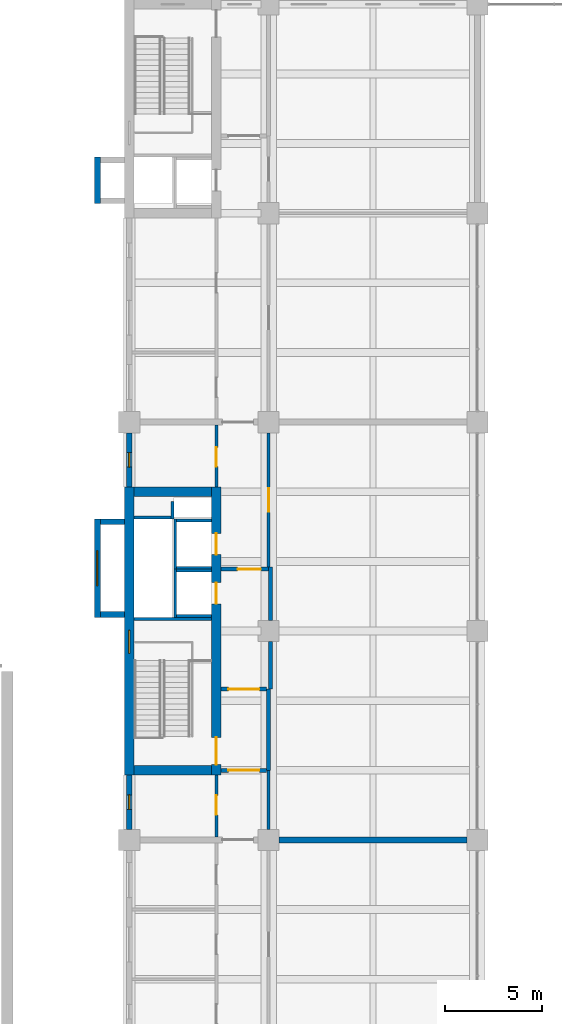
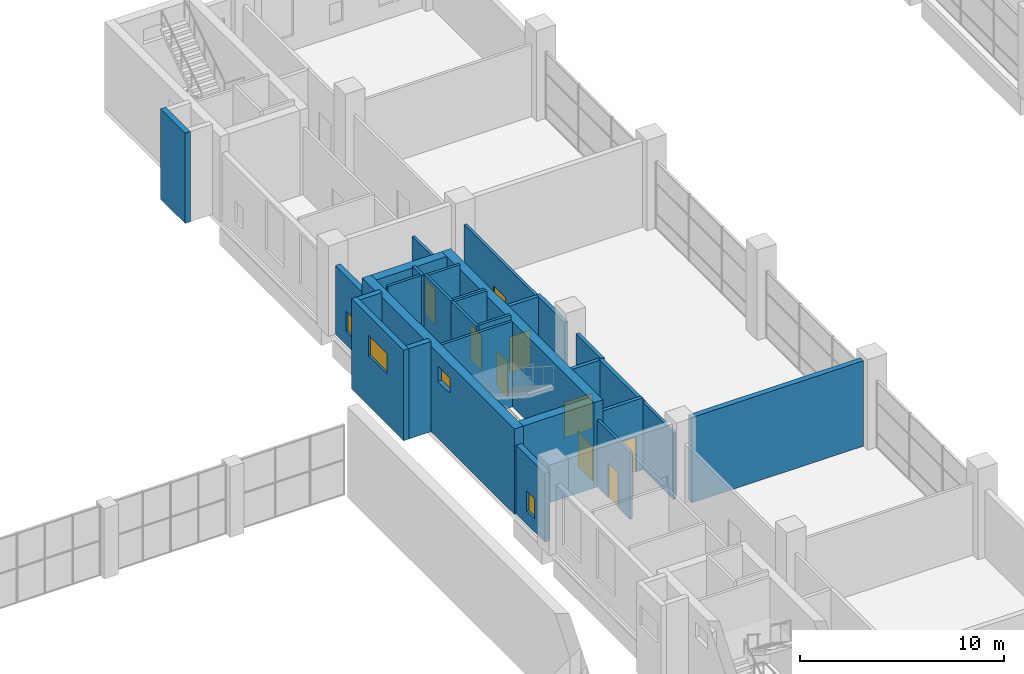
# One storey, part 19 of 33: 30 walls, 9 doors, 4 windows, 13 openings.
"""IFC4 building model written with IfcOpenShell, lengths in metres."""

import ifcopenshell
import ifcopenshell.guid

model = None  # the IFC model being written
_history = None  # IfcOwnerHistory: only IFC2X3 demands one
_inside = {}  # id of a spatial element -> (the spatial element, [elements in it])
_under = {}  # id of a project, library or spatial element -> (it, [spatial elements below it])
_declared = {}  # id of a project -> (the project, [libraries it declares])
_typed = {}  # id of a type object -> (the type object, [elements of that type])
_made_of = {}  # id of a material, layer set ... -> (it, [elements and type objects made of it])


def new_model(schema):
    """Start an empty IFC model of exactly this schema.

    Asked for "IFC4X3", IfcOpenShell would pick the latest addendum, in which some entities
    have other attributes; the version numbers below select the first issue.
    IFC2X3 requires an IfcOwnerHistory on every rooted entity: one is made here for all.
    """
    global model, _history
    if schema == "IFC4X3":
        model = ifcopenshell.file(schema_version=(4, 3, 0, 0))
    else:
        model = ifcopenshell.file(schema=schema)
    _inside.clear()
    _under.clear()
    _declared.clear()
    _typed.clear()
    _made_of.clear()
    _history = None
    if model.schema == "IFC2X3":
        org = make("IfcOrganization", Name="unknown")
        user = make(
            "IfcPersonAndOrganization",
            ThePerson=make("IfcPerson", FamilyName="unknown"),
            TheOrganization=org,
        )
        app = make(
            "IfcApplication",
            ApplicationDeveloper=org,
            Version="unknown",
            ApplicationFullName="unknown",
            ApplicationIdentifier="unknown",
        )
        _history = make(
            "IfcOwnerHistory",
            OwningUser=user,
            OwningApplication=app,
            ChangeAction="ADDED",
            CreationDate=0,
        )
    return model


def make(cls, **values):
    """One entity of the class cls with the attributes given. An attribute that is None is left unset."""
    return model.create_entity(
        cls, **{name: value for name, value in values.items() if value is not None}
    )


def rooted(cls, **values):
    """An entity with a GlobalId (a new one), such as an element, a storey or a relation."""
    return make(cls, GlobalId=ifcopenshell.guid.new(), OwnerHistory=_history, **values)


def si_unit(unit_type, name, prefix=None):
    """IfcSIUnit, for example si_unit("LENGTHUNIT", "METRE", prefix="MILLI")."""
    return make("IfcSIUnit", UnitType=unit_type, Prefix=prefix, Name=name)


def assignment(units):
    """IfcUnitAssignment: the units of a project."""
    return None if units is None else make("IfcUnitAssignment", Units=units)


def point(xyz):
    """IfcCartesianPoint."""
    return None if xyz is None else make("IfcCartesianPoint", Coordinates=xyz)


def direction(xyz):
    """IfcDirection."""
    return None if xyz is None else make("IfcDirection", DirectionRatios=xyz)


def frame(location, z_axis=None, x_axis=None):
    """IfcAxis2Placement3D, a coordinate frame: its origin and axes. An axis left out is left unset."""
    return make(
        "IfcAxis2Placement3D",
        Location=point(location),
        Axis=direction(z_axis),
        RefDirection=direction(x_axis),
    )


def frame_2d(location, x_axis=None):
    """IfcAxis2Placement2D, a coordinate frame in the plane: its origin and x axis."""
    return make(
        "IfcAxis2Placement2D", Location=point(location), RefDirection=direction(x_axis)
    )


def origin():
    """The frame at (0, 0, 0) with its axes left unset."""
    return frame((0.0, 0.0, 0.0))


def place(relative_to, where):
    """IfcLocalPlacement: puts the frame where relative to a parent placement (None: the world)."""
    return make(
        "IfcLocalPlacement", PlacementRelTo=relative_to, RelativePlacement=where
    )


def context(
    kind, dimensions, precision=None, world=None, true_north=None, identifier=None
):
    """IfcGeometricRepresentationContext, for example the 3D "Model" context."""
    return make(
        "IfcGeometricRepresentationContext",
        ContextIdentifier=identifier,
        ContextType=kind,
        CoordinateSpaceDimension=dimensions,
        Precision=precision,
        WorldCoordinateSystem=world,
        TrueNorth=true_north,
    )


def subcontext(parent, identifier, kind, view, scale=None):
    """IfcGeometricRepresentationSubContext, for example "Body" below "Model"."""
    return make(
        "IfcGeometricRepresentationSubContext",
        ContextIdentifier=identifier,
        ContextType=kind,
        ParentContext=parent,
        TargetScale=scale,
        TargetView=view,
    )


def project(units=None, contexts=None):
    """IfcProject with its units and contexts."""
    return rooted(
        "IfcProject",
        Name="project",
        RepresentationContexts=contexts,
        UnitsInContext=assignment(units),
    )


def spatial(cls, under=None, at=None, **own):
    """A site, building, storey or space (cls), placed at a placement, below another one or the project."""
    s = rooted(cls, ObjectPlacement=at, **own)
    if under is not None:
        _under.setdefault(under.id(), (under, []))[1].append(s)
    return s


def profile(cls, at=None, kind="AREA", **sizes):
    """A parametric profile (cls). Its sizes go by their IFC names, for example OverallWidth=200.0."""
    return make(cls, ProfileType=kind, Position=at, **sizes)


def rectangle(**sizes):
    """IfcRectangleProfileDef."""
    return profile("IfcRectangleProfileDef", **sizes)


def extrude(swept, where, along, depth):
    """IfcExtrudedAreaSolid: the profile swept, set in the frame where, extruded along a direction by depth."""
    return make(
        "IfcExtrudedAreaSolid",
        SweptArea=swept,
        Position=where,
        ExtrudedDirection=direction(along),
        Depth=depth,
    )


def shape(context_of_items, identifier, shape_type, items):
    """IfcShapeRepresentation: the items that make up one representation, for example the "Body"."""
    return make(
        "IfcShapeRepresentation",
        ContextOfItems=context_of_items,
        RepresentationIdentifier=identifier,
        RepresentationType=shape_type,
        Items=items,
    )


def material(Name=None, Category=None):
    """IfcMaterial."""
    return make("IfcMaterial", Name=Name, Category=Category)


def layer(
    of_material, thickness, ventilated=None, Name=None, Category=None, Priority=None
):
    """IfcMaterialLayer: one layer of a wall or slab, of a material (None: an air gap)."""
    return make(
        "IfcMaterialLayer",
        Material=of_material,
        LayerThickness=thickness,
        IsVentilated=ventilated,
        Name=Name,
        Category=Category,
        Priority=Priority,
    )


def layer_set(layers, Name=None):
    """IfcMaterialLayerSet."""
    return make("IfcMaterialLayerSet", MaterialLayers=layers, LayerSetName=Name)


def made_of(thing, what):
    """Note that an element or type object is made of a material, layer set ...; save() writes the relation."""
    if what is not None:
        _made_of.setdefault(what.id(), (what, []))[1].append(thing)
    return thing


def type_object(cls, material=None, **own):
    """A type object (cls), such as IfcWallType, which elements share."""
    return made_of(rooted(cls, **own), material)


def element(
    cls,
    number,
    at=None,
    inside=None,
    cuts=None,
    type_object=None,
    material=None,
    context=None,
    identifier="Body",
    shape_type=None,
    held_by="IfcProductDefinitionShape",
    body=None,
    shapes=None,
    **own,
):
    """One element of the class cls, such as IfcWall. Its Tag is "e" and its number.

    at: its placement. inside: the storey or other place that contains it. cuts: it is an
    opening in that element (IfcRelVoidsElement). A single representation is given by context,
    identifier, shape_type and body (its items); several are given by shapes. held_by: the class
    of the entity that holds the representations. save() writes the other relations.
    """
    e = rooted(cls, Tag="e%d" % number, ObjectPlacement=at, **own)
    if body is not None:
        shapes = [shape(context, identifier, shape_type, body)]
    if shapes is not None:
        e.Representation = make(held_by, Representations=shapes)
    if inside is not None:
        _inside.setdefault(inside.id(), (inside, []))[1].append(e)
    if cuts is not None:
        rooted(
            "IfcRelVoidsElement", RelatingBuildingElement=cuts, RelatedOpeningElement=e
        )
    if type_object is not None:
        _typed.setdefault(type_object.id(), (type_object, []))[1].append(e)
    return made_of(e, material)


def fill(opening, filler):
    """IfcRelFillsElement: the door or window that sits in an opening."""
    return rooted(
        "IfcRelFillsElement",
        RelatingOpeningElement=opening,
        RelatedBuildingElement=filler,
    )


def aggregate(whole, parts):
    """IfcRelAggregates: a whole, such as a stair, and the parts it consists of."""
    return rooted("IfcRelAggregates", RelatingObject=whole, RelatedObjects=parts)


def save(model, path):
    """Write the relations noted so far, then the file.

    IfcRelAggregates (storeys below a building ...), IfcRelContainedInSpatialStructure (elements
    in a storey), IfcRelDefinesByType, IfcRelAssociatesMaterial and IfcRelDeclares: one each for
    every whole, place, type object, material and project.
    """
    for whole, parts in _under.values():
        aggregate(whole, parts)
    for where, things in _inside.values():
        rooted(
            "IfcRelContainedInSpatialStructure",
            RelatedElements=things,
            RelatingStructure=where,
        )
    for kind, things in _typed.values():
        rooted("IfcRelDefinesByType", RelatedObjects=things, RelatingType=kind)
    for what, things in _made_of.values():
        rooted("IfcRelAssociatesMaterial", RelatedObjects=things, RelatingMaterial=what)
    for by, libraries in _declared.values():
        rooted("IfcRelDeclares", RelatingContext=by, RelatedDefinitions=libraries)
    model.write(path)


model = new_model("IFC4")

# Units and contexts
model_context = context("Model", 3, precision=1e-05, world=origin(), true_north=direction((0.0, 1.0)))
body_context = subcontext(model_context, "Body", "Model", "MODEL_VIEW")
ifc_project = project(units=[si_unit("LENGTHUNIT", "METRE"), si_unit("AREAUNIT", "SQUARE_METRE"), si_unit("VOLUMEUNIT", "CUBIC_METRE"), si_unit("PLANEANGLEUNIT", "RADIAN"), si_unit("MASSUNIT", "GRAM", prefix="KILO")], contexts=[model_context])

# Site, building, storey
site_placement = place(None, origin())
site = spatial("IfcSite", under=ifc_project, at=site_placement, CompositionType="ELEMENT")
building_placement = place(site_placement, origin())
building = spatial("IfcBuilding", under=site, at=building_placement, Name="Basin Gate Institute", CompositionType="ELEMENT")
storey_placement = place(building_placement, frame((0.0, 0.0, 6.0)))
storey = spatial("IfcBuildingStorey", under=building, at=storey_placement, Name="L01", CompositionType="ELEMENT", Elevation=6.0)

# Wall, opening, door
ifc_material_1 = material(Name="Fire-rated masonry", Category="masonry")
ifc_layer_1 = layer(ifc_material_1, 0.199951171875)
ifc_layer_set_1 = layer_set([ifc_layer_1], Name="Enclosure wall PW2 200 EI 60")
wall_type_1 = type_object("IfcWallType", Name="Enclosure wall PW2 200 EI 60", PredefinedType="PARTITIONING", material=ifc_layer_set_1)
wall_1_placement = place(storey_placement, frame((65.949951171875, 60.300048828125, 0.0), z_axis=(0.0, 0.0, 1.0), x_axis=(1.0, 0.0, 0.0)))
wall_1 = element("IfcWall", 1, at=wall_1_placement, inside=storey, type_object=wall_type_1, material=ifc_layer_set_1, Name="Smoke lobby enclosure wall PW2 L01", PredefinedType="PARTITIONING", context=body_context, shape_type="SweptSolid", body=[
    extrude(rectangle(XDim=2.35009765625, YDim=0.199951171875, at=frame_2d((1.175048828125, 0.0))), origin(), (0.0, 0.0, 1.0), 4.300048828125),
])
opening_1_placement = place(wall_1_placement, frame((0.375, 0.0, 0.0)))
opening_1 = element("IfcOpeningElement", 2, at=opening_1_placement, cuts=wall_1, Name="Opening DR087", PredefinedType="OPENING", context=body_context, shape_type="SweptSolid", body=[
    extrude(rectangle(XDim=1.60009765625, YDim=2.10009765625, at=frame_2d((0.800048828125, 1.050048828125))), frame((0.0, 0.10986328125, 0.0), z_axis=(0.0, -1.0, 0.0), x_axis=(1.0, 0.0, 0.0)), (0.0, 0.0, 1.0), 0.219970703125),
])
ifc_material_2 = material(Name="Steel fire door", Category="steel")
door_type_1 = type_object("IfcDoorType", Name="FD60 Smoke lobby door pair D8", OperationType="DOUBLE_DOOR_SINGLE_SWING", PredefinedType="DOOR", material=ifc_material_2)
door_1_placement = place(opening_1_placement, origin())
door_1 = element("IfcDoor", 3, at=door_1_placement, inside=storey, type_object=door_type_1, material=ifc_material_2, Name="Smoke lobby door SS2 L01", OperationType="DOUBLE_DOOR_SINGLE_SWING", OverallHeight=2.10009765625, OverallWidth=1.60009765625, PredefinedType="DOOR", context=body_context, shape_type="SweptSolid", body=[
    extrude(rectangle(XDim=1.60009765625, YDim=2.10009765625, at=frame_2d((0.800048828125, 1.050048828125))), frame((0.0, 0.02490234375, 0.0), z_axis=(0.0, -1.0, 0.0), x_axis=(1.0, 0.0, 0.0)), (0.0, 0.0, 1.0), 0.050048828125),
])
fill(opening_1, door_1)

wall_2_placement = place(storey_placement, frame((65.949951171875, 64.5, 0.0), z_axis=(0.0, 0.0, 1.0), x_axis=(1.0, 0.0, 0.0)))
wall_2 = element("IfcWall", 4, at=wall_2_placement, inside=storey, type_object=wall_type_1, material=ifc_layer_set_1, Name="Smoke lobby enclosure wall PW2 L01", PredefinedType="PARTITIONING", context=body_context, shape_type="SweptSolid", body=[
    extrude(rectangle(XDim=2.35009765625, YDim=0.199951171875, at=frame_2d((1.175048828125, 0.0))), origin(), (0.0, 0.0, 1.0), 4.0),
])
opening_2_placement = place(wall_2_placement, frame((0.375, 0.0, 0.0)))
opening_2 = element("IfcOpeningElement", 5, at=opening_2_placement, cuts=wall_2, Name="Opening DR088", PredefinedType="OPENING", context=body_context, shape_type="SweptSolid", body=[
    extrude(rectangle(XDim=1.60009765625, YDim=2.10009765625, at=frame_2d((0.800048828125, 1.050048828125))), frame((0.0, 0.10986328125, 0.0), z_axis=(0.0, -1.0, 0.0), x_axis=(1.0, 0.0, 0.0)), (0.0, 0.0, 1.0), 0.219970703125),
])
door_2_placement = place(opening_2_placement, frame((1.60009765625, 0.0, 0.0), z_axis=(0.0, 0.0, 1.0), x_axis=(-1.0, 0.0, 0.0)))
door_2 = element("IfcDoor", 6, at=door_2_placement, inside=storey, type_object=door_type_1, material=ifc_material_2, Name="Smoke lobby door SS2 L01", OperationType="DOUBLE_DOOR_SINGLE_SWING", OverallHeight=2.10009765625, OverallWidth=1.60009765625, PredefinedType="DOOR", context=body_context, shape_type="SweptSolid", body=[
    extrude(rectangle(XDim=1.60009765625, YDim=2.10009765625, at=frame_2d((0.800048828125, 1.050048828125))), frame((0.0, 0.02490234375, 0.0), z_axis=(0.0, -1.0, 0.0), x_axis=(1.0, 0.0, 0.0)), (0.0, 0.0, 1.0), 0.050048828125),
])
fill(opening_2, door_2)

# Wall
wall_3_placement = place(storey_placement, frame((68.39990234375, 60.300048828125, 0.0), z_axis=(0.0, 0.0, 1.0), x_axis=(0.0, 1.0, 0.0)))
element("IfcWall", 7, at=wall_3_placement, inside=storey, type_object=wall_type_1, material=ifc_layer_set_1, Name="Smoke lobby enclosure wall PW2 L01", PredefinedType="PARTITIONING", context=body_context, shape_type="SweptSolid", body=[
    extrude(rectangle(XDim=4.199951171875, YDim=0.199951171875, at=frame_2d((2.10009765625, 0.0))), origin(), (0.0, 0.0, 1.0), 4.0),
])

# Wall, opening, door
wall_4_placement = place(storey_placement, frame((65.949951171875, 70.699951171875, 0.0), z_axis=(0.0, 0.0, 1.0), x_axis=(1.0, 0.0, 0.0)))
wall_4 = element("IfcWall", 8, at=wall_4_placement, inside=storey, type_object=wall_type_1, material=ifc_layer_set_1, Name="Emergency lift lobby wall PW2 L01", PredefinedType="PARTITIONING", context=body_context, shape_type="SweptSolid", body=[
    extrude(rectangle(XDim=2.449951171875, YDim=0.199951171875, at=frame_2d((1.22509765625, 0.0))), origin(), (0.0, 0.0, 1.0), 4.0),
])
opening_3_placement = place(wall_4_placement, frame((0.85009765625, 0.0, 0.0)))
opening_3 = element("IfcOpeningElement", 9, at=opening_3_placement, cuts=wall_4, Name="Opening DR085", PredefinedType="OPENING", context=body_context, shape_type="SweptSolid", body=[
    extrude(rectangle(XDim=1.199951171875, YDim=2.10009765625, at=frame_2d((0.60009765625, 1.050048828125))), frame((0.0, 0.10986328125, 0.0), z_axis=(0.0, -1.0, 0.0), x_axis=(1.0, 0.0, 0.0)), (0.0, 0.0, 1.0), 0.219970703125),
])
ifc_material_3 = material(Name="Steel fire door", Category="steel")
door_type_2 = type_object("IfcDoorType", Name="FD60 Emergency lift lobby door D9", OperationType="NOTDEFINED", PredefinedType="DOOR", material=ifc_material_3)
door_3_placement = place(opening_3_placement, frame((1.199951171875, 0.0, 0.0), z_axis=(0.0, 0.0, 1.0), x_axis=(-1.0, 0.0, 0.0)))
door_3 = element("IfcDoor", 10, at=door_3_placement, inside=storey, type_object=door_type_2, material=ifc_material_3, Name="Emergency lift lobby door LF1 L01", OperationType="SINGLE_SWING_LEFT", OverallHeight=2.10009765625, OverallWidth=1.199951171875, PredefinedType="DOOR", context=body_context, shape_type="SweptSolid", body=[
    extrude(rectangle(XDim=1.199951171875, YDim=2.10009765625, at=frame_2d((0.60009765625, 1.050048828125))), frame((0.0, 0.02490234375, 0.0), z_axis=(0.0, -1.0, 0.0), x_axis=(1.0, 0.0, 0.0)), (0.0, 0.0, 1.0), 0.050048828125),
])
fill(opening_3, door_3)

# Walls
wall_5_placement = place(storey_placement, frame((68.5, 64.5, 0.0), z_axis=(0.0, 0.0, 1.0), x_axis=(0.0, 1.0, 0.0)))
element("IfcWall", 11, at=wall_5_placement, inside=storey, type_object=wall_type_1, material=ifc_layer_set_1, Name="Emergency lift lobby wall PW2 L01", PredefinedType="PARTITIONING", context=body_context, shape_type="SweptSolid", body=[
    extrude(rectangle(XDim=2.449951171875, YDim=0.199951171875, at=frame_2d((1.22509765625, 0.0))), origin(), (0.0, 0.0, 1.0), 4.0),
])
wall_6_placement = place(storey_placement, frame((68.5, 68.050048828125, 0.0), z_axis=(0.0, 0.0, 1.0), x_axis=(0.0, 1.0, 0.0)))
element("IfcWall", 12, at=wall_6_placement, inside=storey, type_object=wall_type_1, material=ifc_layer_set_1, Name="Emergency lift lobby wall PW2 L01", PredefinedType="PARTITIONING", context=body_context, shape_type="SweptSolid", body=[
    extrude(rectangle(XDim=2.75, YDim=0.199951171875, at=frame_2d((1.375, 0.0))), origin(), (0.0, 0.0, 1.0), 4.0),
])

# Wall, opening, window
ifc_material_4 = material(Name="Aluminium-faced insulated panel wall", Category="aluminium")
ifc_layer_2 = layer(ifc_material_4, 0.300048828125)
ifc_layer_set_2 = layer_set([ifc_layer_2], Name="External wall EW1 EI 120")
wall_type_2 = type_object("IfcWallType", Name="External wall EW1 EI 120", PredefinedType="STANDARD", material=ifc_layer_set_2)
wall_7_placement = place(storey_placement, frame((61.199951171875, 57.25, 0.0), z_axis=(0.0, 0.0, 1.0), x_axis=(0.0, 1.0, 0.0)))
wall_7 = element("IfcWall", 13, at=wall_7_placement, inside=storey, type_object=wall_type_2, material=ifc_layer_set_2, Name="External wall W facade L01 2", PredefinedType="STANDARD", context=body_context, shape_type="SweptSolid", body=[
    extrude(rectangle(XDim=2.800048828125, YDim=0.300048828125, at=frame_2d((1.39990234375, 0.0))), origin(), (0.0, 0.0, 1.0), 4.10009765625),
])
opening_4_placement = place(wall_7_placement, frame((1.02490234375, 0.0, 0.800048828125)))
opening_4 = element("IfcOpeningElement", 14, at=opening_4_placement, cuts=wall_7, Name="Opening WN3", PredefinedType="OPENING", context=body_context, shape_type="SweptSolid", body=[
    extrude(rectangle(XDim=0.75, YDim=1.199951171875, at=frame_2d((0.375, 0.60009765625))), frame((0.0, 0.16015625, 0.0), z_axis=(0.0, -1.0, 0.0), x_axis=(1.0, 0.0, 0.0)), (0.0, 0.0, 1.0), 0.320068359375),
])
ifc_material_5 = material(Name="Aluminium-framed double glazing", Category="aluminium")
window_type_1 = type_object("IfcWindowType", Name="Emergency entry panel WN3", PartitioningType="SINGLE_PANEL", PredefinedType="WINDOW", material=ifc_material_5)
window_1_placement = place(opening_4_placement, origin())
window_1 = element("IfcWindow", 15, at=window_1_placement, inside=storey, type_object=window_type_1, material=ifc_material_5, Name="Emergency entry panel W facade L01 bay 7", OverallHeight=1.199951171875, OverallWidth=0.75, PartitioningType="SINGLE_PANEL", PredefinedType="WINDOW", context=body_context, shape_type="SweptSolid", body=[
    extrude(rectangle(XDim=0.75, YDim=1.199951171875, at=frame_2d((0.375, 0.60009765625))), frame((0.0, 0.030029296875, 0.0), z_axis=(0.0, -1.0, 0.0), x_axis=(1.0, 0.0, 0.0)), (0.0, 0.0, 1.0), 0.06005859375),
])
fill(opening_4, window_1)

wall_8_placement = place(storey_placement, frame((61.199951171875, 74.949951171875, 0.0), z_axis=(0.0, 0.0, 1.0), x_axis=(0.0, 1.0, 0.0)))
wall_8 = element("IfcWall", 16, at=wall_8_placement, inside=storey, type_object=wall_type_2, material=ifc_layer_set_2, Name="External wall W facade L01 3", PredefinedType="STANDARD", context=body_context, shape_type="SweptSolid", body=[
    extrude(rectangle(XDim=2.800048828125, YDim=0.300048828125, at=frame_2d((1.39990234375, 0.0))), origin(), (0.0, 0.0, 1.0), 4.10009765625),
])
opening_5_placement = place(wall_8_placement, frame((1.02490234375, 0.0, 0.800048828125)))
opening_5 = element("IfcOpeningElement", 17, at=opening_5_placement, cuts=wall_8, Name="Opening WN3", PredefinedType="OPENING", context=body_context, shape_type="SweptSolid", body=[
    extrude(rectangle(XDim=0.75, YDim=1.199951171875, at=frame_2d((0.375, 0.60009765625))), frame((0.0, 0.16015625, 0.0), z_axis=(0.0, -1.0, 0.0), x_axis=(1.0, 0.0, 0.0)), (0.0, 0.0, 1.0), 0.320068359375),
])
window_2_placement = place(opening_5_placement, origin())
window_2 = element("IfcWindow", 18, at=window_2_placement, inside=storey, type_object=window_type_1, material=ifc_material_5, Name="Emergency entry panel W facade L01 bay 12", OverallHeight=1.199951171875, OverallWidth=0.75, PartitioningType="SINGLE_PANEL", PredefinedType="WINDOW", context=body_context, shape_type="SweptSolid", body=[
    extrude(rectangle(XDim=0.75, YDim=1.199951171875, at=frame_2d((0.375, 0.60009765625))), frame((0.0, 0.030029296875, 0.0), z_axis=(0.0, -1.0, 0.0), x_axis=(1.0, 0.0, 0.0)), (0.0, 0.0, 1.0), 0.06005859375),
])
fill(opening_5, window_2)

# Wall, opening, door
ifc_material_6 = material(Name="Gypsum board on steel stud", Category="steel")
ifc_layer_3 = layer(ifc_material_6, 0.14990234375)
ifc_layer_set_3 = layer_set([ifc_layer_3], Name="Gypsum board on steel stud")
wall_type_3 = type_object("IfcWallType", Name="Partition PW1 150 EI 60", PredefinedType="PARTITIONING", material=ifc_layer_set_3)
wall_9_placement = place(storey_placement, frame((65.699951171875, 56.85009765625, 0.0), z_axis=(0.0, 0.0, 1.0), x_axis=(0.0, 1.0, 0.0)))
wall_9 = element("IfcWall", 19, at=wall_9_placement, inside=storey, type_object=wall_type_3, material=ifc_layer_set_3, Name="Corridor wall PW1 L01", PredefinedType="PARTITIONING", context=body_context, shape_type="SweptSolid", body=[
    extrude(rectangle(XDim=3.199951171875, YDim=0.14990234375, at=frame_2d((1.60009765625, 0.0))), origin(), (0.0, 0.0, 1.0), 4.0),
])
opening_6_placement = place(wall_9_placement, frame((1.14990234375, 0.0, 0.0)))
opening_6 = element("IfcOpeningElement", 20, at=opening_6_placement, cuts=wall_9, Name="Opening DR073", PredefinedType="OPENING", context=body_context, shape_type="SweptSolid", body=[
    extrude(rectangle(XDim=1.0, YDim=2.10009765625, at=frame_2d((0.5, 1.050048828125))), frame((0.0, 0.0849609375, 0.0), z_axis=(0.0, -1.0, 0.0), x_axis=(1.0, 0.0, 0.0)), (0.0, 0.0, 1.0), 0.169921875),
])
ifc_material_7 = material(Name="Timber fire door", Category="wood")
door_type_3 = type_object("IfcDoorType", Name="FD30 Toilet door D3", OperationType="NOTDEFINED", PredefinedType="DOOR", material=ifc_material_7)
door_4_placement = place(opening_6_placement, origin())
door_4 = element("IfcDoor", 21, at=door_4_placement, inside=storey, type_object=door_type_3, material=ifc_material_7, Name="Door to Accessible WC L01", OperationType="SINGLE_SWING_RIGHT", OverallHeight=2.10009765625, OverallWidth=1.0, PredefinedType="DOOR", context=body_context, shape_type="SweptSolid", body=[
    extrude(rectangle(XDim=1.0, YDim=2.10009765625, at=frame_2d((0.5, 1.050048828125))), frame((0.0, 0.02490234375, 0.0), z_axis=(0.0, -1.0, 0.0), x_axis=(1.0, 0.0, 0.0)), (0.0, 0.0, 1.0), 0.050048828125),
])
fill(opening_6, door_4)

wall_10_placement = place(storey_placement, frame((65.699951171875, 74.949951171875, 0.0), z_axis=(0.0, 0.0, 1.0), x_axis=(0.0, 1.0, 0.0)))
wall_10 = element("IfcWall", 22, at=wall_10_placement, inside=storey, type_object=wall_type_3, material=ifc_layer_set_3, Name="Corridor wall PW1 L01", PredefinedType="PARTITIONING", context=body_context, shape_type="SweptSolid", body=[
    extrude(rectangle(XDim=3.199951171875, YDim=0.14990234375, at=frame_2d((1.60009765625, 0.0))), origin(), (0.0, 0.0, 1.0), 4.0),
])
opening_7_placement = place(wall_10_placement, frame((1.050048828125, 0.0, 0.0)))
opening_7 = element("IfcOpeningElement", 23, at=opening_7_placement, cuts=wall_10, Name="Opening DR080", PredefinedType="OPENING", context=body_context, shape_type="SweptSolid", body=[
    extrude(rectangle(XDim=1.0, YDim=2.10009765625, at=frame_2d((0.5, 1.050048828125))), frame((0.0, 0.0849609375, 0.0), z_axis=(0.0, -1.0, 0.0), x_axis=(1.0, 0.0, 0.0)), (0.0, 0.0, 1.0), 0.169921875),
])
ifc_material_8 = material(Name="Timber fire door", Category="wood")
door_type_4 = type_object("IfcDoorType", Name="FD30 Office door D1", OperationType="NOTDEFINED", PredefinedType="DOOR", material=ifc_material_8)
door_5_placement = place(opening_7_placement, origin())
door_5 = element("IfcDoor", 24, at=door_5_placement, inside=storey, type_object=door_type_4, material=ifc_material_8, Name="Door to Seminar Room 0105 L01", OperationType="SINGLE_SWING_LEFT", OverallHeight=2.10009765625, OverallWidth=1.0, PredefinedType="DOOR", context=body_context, shape_type="SweptSolid", body=[
    extrude(rectangle(XDim=1.0, YDim=2.10009765625, at=frame_2d((0.5, 1.050048828125))), frame((0.0, 0.02490234375, 0.0), z_axis=(0.0, -1.0, 0.0), x_axis=(1.0, 0.0, 0.0)), (0.0, 0.0, 1.0), 0.050048828125),
])
fill(opening_7, door_5)

# Wall
wall_11_placement = place(storey_placement, frame((68.39990234375, 57.25, 0.0), z_axis=(0.0, 0.0, 1.0), x_axis=(0.0, 1.0, 0.0)))
element("IfcWall", 25, at=wall_11_placement, inside=storey, type_object=wall_type_3, material=ifc_layer_set_3, Name="Laboratory corridor wall PW1 L01", PredefinedType="PARTITIONING", context=body_context, shape_type="SweptSolid", body=[
    extrude(rectangle(XDim=3.050048828125, YDim=0.14990234375, at=frame_2d((1.52490234375, 0.0))), origin(), (0.0, 0.0, 1.0), 4.0),
])

# Wall, opening, door
wall_12_placement = place(storey_placement, frame((68.39990234375, 70.800048828125, 0.0), z_axis=(0.0, 0.0, 1.0), x_axis=(0.0, 1.0, 0.0)))
wall_12 = element("IfcWall", 26, at=wall_12_placement, inside=storey, type_object=wall_type_3, material=ifc_layer_set_3, Name="Laboratory corridor wall PW1 L01", PredefinedType="PARTITIONING", context=body_context, shape_type="SweptSolid", body=[
    extrude(rectangle(XDim=6.949951171875, YDim=0.14990234375, at=frame_2d((3.47509765625, 0.0))), origin(), (0.0, 0.0, 1.0), 4.0),
])
opening_8_placement = place(wall_12_placement, frame((2.875, 0.0, 0.0)))
opening_8 = element("IfcOpeningElement", 27, at=opening_8_placement, cuts=wall_12, Name="Opening DR077", PredefinedType="OPENING", context=body_context, shape_type="SweptSolid", body=[
    extrude(rectangle(XDim=1.199951171875, YDim=2.10009765625, at=frame_2d((0.60009765625, 1.050048828125))), frame((0.0, 0.0849609375, 0.0), z_axis=(0.0, -1.0, 0.0), x_axis=(1.0, 0.0, 0.0)), (0.0, 0.0, 1.0), 0.169921875),
])
ifc_material_9 = material(Name="Timber fire door", Category="wood")
door_type_5 = type_object("IfcDoorType", Name="FD30 Laboratory door D2", OperationType="DOUBLE_DOOR_SINGLE_SWING", PredefinedType="DOOR", material=ifc_material_9)
door_6_placement = place(opening_8_placement, frame((1.199951171875, 0.0, 0.0), z_axis=(0.0, 0.0, 1.0), x_axis=(-1.0, 0.0, 0.0)))
door_6 = element("IfcDoor", 28, at=door_6_placement, inside=storey, type_object=door_type_5, material=ifc_material_9, Name="Door to Library 0118 L01", OperationType="DOUBLE_DOOR_SINGLE_SWING", OverallHeight=2.10009765625, OverallWidth=1.199951171875, PredefinedType="DOOR", context=body_context, shape_type="SweptSolid", body=[
    extrude(rectangle(XDim=1.199951171875, YDim=2.10009765625, at=frame_2d((0.60009765625, 1.050048828125))), frame((0.0, 0.02490234375, 0.0), z_axis=(0.0, -1.0, 0.0), x_axis=(1.0, 0.0, 0.0)), (0.0, 0.0, 1.0), 0.050048828125),
])
fill(opening_8, door_6)

# Walls
ifc_material_10 = material(Name="Concrete 40 MPa", Category="concrete")
ifc_layer_4 = layer(ifc_material_10, 0.14990234375)
ifc_layer_set_4 = layer_set([ifc_layer_4], Name="Concrete 40 MPa")
wall_type_4 = type_object("IfcWallType", Name="Wall LS1 lift shaft enclosure R180", PredefinedType="SOLIDWALL", material=ifc_layer_set_4)
wall_13_placement = place(storey_placement, frame((63.574951171875, 68.199951171875, 0.0), z_axis=(0.0, 0.0, 1.0), x_axis=(0.0, 1.0, 0.0)))
element("IfcWall", 29, at=wall_13_placement, inside=storey, type_object=wall_type_4, material=ifc_layer_set_4, Name="Lift shaft enclosure LF1 L01 UL", PredefinedType="SOLIDWALL", context=body_context, shape_type="SweptSolid", body=[
    extrude(rectangle(XDim=2.5, YDim=0.14990234375, at=frame_2d((1.25, 0.0))), origin(), (0.0, 0.0, 1.0), 5.39990234375),
])
for number, where, z_axis, x_axis, name in (
    (30, (63.64990234375, 68.27490234375, 0.0), (0.0, 0.0, 1.0), (1.0, 0.0, 0.0), "Lift shaft enclosure LF1 L01 RL"),
    (31, (63.64990234375, 70.625, 0.0), (0.0, 0.0, 1.0), (1.0, 0.0, 0.0), "Lift shaft enclosure LF1 L01 RH"),
):
    element("IfcWall", number, at=place(storey_placement, frame(where, z_axis=z_axis, x_axis=x_axis)), inside=storey, type_object=wall_type_4, material=ifc_layer_set_4, Name=name, PredefinedType="SOLIDWALL", context=body_context, shape_type="SweptSolid", body=[
        extrude(rectangle(XDim=1.800048828125, YDim=0.14990234375, at=frame_2d((0.89990234375, 0.0))), origin(), (0.0, 0.0, 1.0), 5.39990234375),
    ])
wall_14_placement = place(storey_placement, frame((63.574951171875, 70.699951171875, 0.0), z_axis=(0.0, 0.0, 1.0), x_axis=(0.0, 1.0, 0.0)))
element("IfcWall", 32, at=wall_14_placement, inside=storey, type_object=wall_type_4, material=ifc_layer_set_4, Name="Lift shaft enclosure LP2 L01 UL", PredefinedType="SOLIDWALL", context=body_context, shape_type="SweptSolid", body=[
    extrude(rectangle(XDim=2.60009765625, YDim=0.14990234375, at=frame_2d((1.300048828125, 0.0))), origin(), (0.0, 0.0, 1.0), 5.39990234375),
])
for number, where, z_axis, x_axis, name in (
    (33, (63.64990234375, 70.77490234375, 0.0), (0.0, 0.0, 1.0), (1.0, 0.0, 0.0), "Lift shaft enclosure LP2 L01 RL"),
    (34, (63.64990234375, 73.22509765625, 0.0), (0.0, 0.0, 1.0), (1.0, 0.0, 0.0), "Lift shaft enclosure LP2 L01 RH"),
):
    element("IfcWall", number, at=place(storey_placement, frame(where, z_axis=z_axis, x_axis=x_axis)), inside=storey, type_object=wall_type_4, material=ifc_layer_set_4, Name=name, PredefinedType="SOLIDWALL", context=body_context, shape_type="SweptSolid", body=[
        extrude(rectangle(XDim=1.800048828125, YDim=0.14990234375, at=frame_2d((0.89990234375, 0.0))), origin(), (0.0, 0.0, 1.0), 5.39990234375),
    ])
ifc_material_11 = material(Name="Concrete 40 MPa", Category="concrete")
ifc_layer_5 = layer(ifc_material_11, 0.14990234375)
ifc_layer_set_5 = layer_set([ifc_layer_5], Name="Concrete 40 MPa")
wall_type_5 = type_object("IfcWallType", Name="Wall RS1 riser shaft enclosure R180", PredefinedType="SOLIDWALL", material=ifc_layer_set_5)
wall_15_placement = place(storey_placement, frame((61.449951171875, 73.375, 0.0), z_axis=(0.0, 0.0, 1.0), x_axis=(1.0, 0.0, 0.0)))
element("IfcWall", 35, at=wall_15_placement, inside=storey, type_object=wall_type_5, material=ifc_layer_set_5, Name="Riser shaft enclosure WM L01 N", PredefinedType="SOLIDWALL", context=body_context, shape_type="SweptSolid", body=[
    extrude(rectangle(XDim=1.900146484375, YDim=0.14990234375, at=frame_2d((0.9501953125, 0.0))), origin(), (0.0, 0.0, 1.0), 5.39990234375),
])
wall_16_placement = place(storey_placement, frame((63.425048828125, 73.300048828125, 0.0), z_axis=(0.0, 0.0, 1.0), x_axis=(0.0, 1.0, 0.0)))
element("IfcWall", 36, at=wall_16_placement, inside=storey, type_object=wall_type_5, material=ifc_layer_set_5, Name="Riser shaft enclosure WM L01 W", PredefinedType="SOLIDWALL", context=body_context, shape_type="SweptSolid", body=[
    extrude(rectangle(XDim=0.89990234375, YDim=0.14990234375, at=frame_2d((0.449951171875, 0.0))), origin(), (0.0, 0.0, 1.0), 5.39990234375),
])
ifc_material_12 = material(Name="Concrete 40 MPa", Category="concrete")
ifc_layer_6 = layer(ifc_material_12, 0.14990234375)
ifc_layer_set_6 = layer_set([ifc_layer_6], Name="Concrete 40 MPa")
wall_type_6 = type_object("IfcWallType", Name="Wall SE1 stair enclosure R180", PredefinedType="SOLIDWALL", material=ifc_layer_set_6)
wall_17_placement = place(storey_placement, frame((61.449951171875, 68.125, 0.0), z_axis=(0.0, 0.0, 1.0), x_axis=(1.0, 0.0, 0.0)))
element("IfcWall", 37, at=wall_17_placement, inside=storey, type_object=wall_type_6, material=ifc_layer_set_6, Name="Stair enclosure wall ST-WM L01", PredefinedType="SOLIDWALL", context=body_context, shape_type="SweptSolid", body=[
    extrude(rectangle(XDim=4.0, YDim=0.14990234375, at=frame_2d((2.0, 0.0))), origin(), (0.0, 0.0, 1.0), 5.10009765625),
])

# Wall, opening, window
ifc_material_13 = material(Name="Concrete 50 MPa", Category="concrete")
ifc_layer_7 = layer(ifc_material_13, 0.300048828125)
ifc_layer_set_7 = layer_set([ifc_layer_7], Name="Concrete 50 MPa")
wall_type_7 = type_object("IfcWallType", Name="Wall SK1 R180", PredefinedType="SHEAR", material=ifc_layer_set_7)
wall_18_placement = place(storey_placement, frame((59.550048828125, 68.199951171875, 0.0), z_axis=(0.0, 0.0, 1.0), x_axis=(0.0, 1.0, 0.0)))
wall_18 = element("IfcWall", 38, at=wall_18_placement, inside=storey, type_object=wall_type_7, material=ifc_layer_set_7, Name="Spine riser stack wall SK1 WM F L01", PredefinedType="SHEAR", context=body_context, shape_type="SweptSolid", body=[
    extrude(rectangle(XDim=5.10009765625, YDim=0.300048828125, at=frame_2d((2.550048828125, 0.0))), origin(), (0.0, 0.0, 1.0), 5.39990234375),
])
opening_9_placement = place(wall_18_placement, frame((1.64990234375, 0.0, 3.0)))
opening_9 = element("IfcOpeningElement", 39, at=opening_9_placement, cuts=wall_18, Name="Opening WL1", PredefinedType="OPENING", context=body_context, shape_type="SweptSolid", body=[
    extrude(rectangle(XDim=1.800048828125, YDim=1.199951171875, at=frame_2d((0.89990234375, 0.60009765625))), frame((0.0, 0.16015625, 0.0), z_axis=(0.0, -1.0, 0.0), x_axis=(1.0, 0.0, 0.0)), (0.0, 0.0, 1.0), 0.320068359375),
])
ifc_material_14 = material(Name="Aluminium louvre blades with fire damper", Category="aluminium")
window_type_2 = type_object("IfcWindowType", Name="Riser louvre EI 180 WL1", PartitioningType="SINGLE_PANEL", PredefinedType="WINDOW", material=ifc_material_14)
window_3_placement = place(opening_9_placement, origin())
window_3 = element("IfcWindow", 40, at=window_3_placement, inside=storey, type_object=window_type_2, material=ifc_material_14, Name="Riser louvre EI 180 WM riser 1 L01", OverallHeight=1.199951171875, OverallWidth=1.800048828125, PartitioningType="SINGLE_PANEL", PredefinedType="WINDOW", context=body_context, shape_type="SweptSolid", body=[
    extrude(rectangle(XDim=1.800048828125, YDim=1.199951171875, at=frame_2d((0.89990234375, 0.60009765625))), frame((0.0, 0.030029296875, 0.0), z_axis=(0.0, -1.0, 0.0), x_axis=(1.0, 0.0, 0.0)), (0.0, 0.0, 1.0), 0.06005859375),
])
fill(opening_9, window_3)

# Walls
for number, where, z_axis, x_axis, name in (
    (41, (60.949951171875, 68.35009765625, 0.0), (0.0, 0.0, 1.0), (-1.0, 0.0, 0.0), "Spine riser stack wall SK1 WM A L01"),
    (42, (60.949951171875, 73.14990234375, 0.0), (0.0, 0.0, 1.0), (-1.0, 0.0, 0.0), "Spine riser stack wall SK1 WM B L01"),
):
    element("IfcWall", number, at=place(storey_placement, frame(where, z_axis=z_axis, x_axis=x_axis)), inside=storey, type_object=wall_type_7, material=ifc_layer_set_7, Name=name, PredefinedType="SHEAR", context=body_context, shape_type="SweptSolid", body=[
        extrude(rectangle(XDim=1.25, YDim=0.300048828125, at=frame_2d((0.625, 0.0))), origin(), (0.0, 0.0, 1.0), 5.39990234375),
    ])
wall_19_placement = place(storey_placement, frame((59.550048828125, 89.60009765625, 0.0), z_axis=(0.0, 0.0, 1.0), x_axis=(0.0, 1.0, 0.0)))
element("IfcWall", 43, at=wall_19_placement, inside=storey, type_object=wall_type_7, material=ifc_layer_set_7, Name="Spine riser stack wall SK1 WN F L01", PredefinedType="SHEAR", context=body_context, shape_type="SweptSolid", body=[
    extrude(rectangle(XDim=2.39990234375, YDim=0.300048828125, at=frame_2d((1.199951171875, 0.0))), origin(), (0.0, 0.0, 1.0), 5.39990234375),
])

# Wall, opening, window
ifc_material_15 = material(Name="Concrete 60 MPa", Category="concrete")
ifc_layer_8 = layer(ifc_material_15, 0.5)
ifc_layer_set_8 = layer_set([ifc_layer_8], Name="Concrete 60 MPa")
wall_type_8 = type_object("IfcWallType", Name="Wall SW1 R180", PredefinedType="SHEAR", material=ifc_layer_set_8)
wall_20_placement = place(storey_placement, frame((61.199951171875, 60.050048828125, 0.0), z_axis=(0.0, 0.0, 1.0), x_axis=(0.0, 1.0, 0.0)))
wall_20 = element("IfcWall", 44, at=wall_20_placement, inside=storey, type_object=wall_type_8, material=ifc_layer_set_8, Name="WALL/L01/WM/L", PredefinedType="SHEAR", context=body_context, shape_type="SweptSolid", body=[
    extrude(rectangle(XDim=14.89990234375, YDim=0.5, at=frame_2d((7.449951171875, 0.0))), origin(), (0.0, 0.0, 1.0), 5.10009765625),
])
opening_10_placement = place(wall_20_placement, frame((6.300048828125, 0.0, 3.39990234375)))
opening_10 = element("IfcOpeningElement", 45, at=opening_10_placement, cuts=wall_20, Name="Opening WT1", PredefinedType="OPENING", context=body_context, shape_type="SweptSolid", body=[
    extrude(rectangle(XDim=1.199951171875, YDim=0.89990234375, at=frame_2d((0.60009765625, 0.449951171875))), frame((0.0, 0.260009765625, 0.0), z_axis=(0.0, -1.0, 0.0), x_axis=(1.0, 0.0, 0.0)), (0.0, 0.0, 1.0), 0.52001953125),
])
ifc_material_16 = material(Name="Fire-resistant glazing in steel-free frame", Category="steel")
window_type_3 = type_object("IfcWindowType", Name="Rated stair window EI 180 WT1", PartitioningType="SINGLE_PANEL", PredefinedType="WINDOW", material=ifc_material_16)
window_4_placement = place(opening_10_placement, origin())
window_4 = element("IfcWindow", 46, at=window_4_placement, inside=storey, type_object=window_type_3, material=ifc_material_16, Name="Rated stair window EI 180 WM landing L01", OverallHeight=0.89990234375, OverallWidth=1.199951171875, PartitioningType="SINGLE_PANEL", PredefinedType="WINDOW", context=body_context, shape_type="SweptSolid", body=[
    extrude(rectangle(XDim=1.199951171875, YDim=0.89990234375, at=frame_2d((0.60009765625, 0.449951171875))), frame((0.0, 0.030029296875, 0.0), z_axis=(0.0, -1.0, 0.0), x_axis=(1.0, 0.0, 0.0)), (0.0, 0.0, 1.0), 0.06005859375),
])
fill(opening_10, window_4)

# Wall, openings, doors
wall_21_placement = place(storey_placement, frame((65.699951171875, 60.050048828125, 0.0), z_axis=(0.0, 0.0, 1.0), x_axis=(0.0, 1.0, 0.0)))
wall_21 = element("IfcWall", 47, at=wall_21_placement, inside=storey, type_object=wall_type_8, material=ifc_layer_set_8, Name="WALL/L01/WM/C", PredefinedType="SHEAR", context=body_context, shape_type="SweptSolid", body=[
    extrude(rectangle(XDim=14.89990234375, YDim=0.5, at=frame_2d((7.449951171875, 0.0))), origin(), (0.0, 0.0, 1.0), 5.10009765625),
])
opening_11_placement = place(wall_21_placement, frame((0.550048828125, 0.0, 0.0)))
opening_11 = element("IfcOpeningElement", 48, at=opening_11_placement, cuts=wall_21, Name="Opening DS008", PredefinedType="OPENING", context=body_context, shape_type="SweptSolid", body=[
    extrude(rectangle(XDim=1.39990234375, YDim=2.10009765625, at=frame_2d((0.699951171875, 1.050048828125))), frame((0.0, 0.260009765625, 0.0), z_axis=(0.0, -1.0, 0.0), x_axis=(1.0, 0.0, 0.0)), (0.0, 0.0, 1.0), 0.52001953125),
])
opening_12_placement = place(wall_21_placement, frame((8.85009765625, 0.0, 0.0)))
opening_12 = element("IfcOpeningElement", 49, at=opening_12_placement, cuts=wall_21, Name="Opening LD021", PredefinedType="OPENING", context=body_context, shape_type="SweptSolid", body=[
    extrude(rectangle(XDim=1.10009765625, YDim=2.10009765625, at=frame_2d((0.550048828125, 1.050048828125))), frame((0.0, 0.260009765625, 0.0), z_axis=(0.0, -1.0, 0.0), x_axis=(1.0, 0.0, 0.0)), (0.0, 0.0, 1.0), 0.52001953125),
])
opening_13_placement = place(wall_21_placement, frame((11.39990234375, 0.0, 0.0)))
opening_13 = element("IfcOpeningElement", 50, at=opening_13_placement, cuts=wall_21, Name="Opening LD039", PredefinedType="OPENING", context=body_context, shape_type="SweptSolid", body=[
    extrude(rectangle(XDim=1.10009765625, YDim=2.10009765625, at=frame_2d((0.550048828125, 1.050048828125))), frame((0.0, 0.260009765625, 0.0), z_axis=(0.0, -1.0, 0.0), x_axis=(1.0, 0.0, 0.0)), (0.0, 0.0, 1.0), 0.52001953125),
])
ifc_material_17 = material(Name="Steel fire door", Category="steel")
door_type_6 = type_object("IfcDoorType", Name="FD30 Stair enclosure door DS", OperationType="DOUBLE_DOOR_SINGLE_SWING", PredefinedType="DOOR", material=ifc_material_17)
door_7_placement = place(opening_11_placement, origin())
door_7 = element("IfcDoor", 51, at=door_7_placement, inside=storey, type_object=door_type_6, material=ifc_material_17, Name="Stair enclosure door ST-WM L01", OperationType="DOUBLE_DOOR_SINGLE_SWING", OverallHeight=2.10009765625, OverallWidth=1.39990234375, PredefinedType="DOOR", context=body_context, shape_type="SweptSolid", body=[
    extrude(rectangle(XDim=1.39990234375, YDim=2.10009765625, at=frame_2d((0.699951171875, 1.050048828125))), frame((0.0, 0.02490234375, 0.0), z_axis=(0.0, -1.0, 0.0), x_axis=(1.0, 0.0, 0.0)), (0.0, 0.0, 1.0), 0.050048828125),
])
fill(opening_11, door_7)
ifc_material_18 = material(Name="Stainless steel", Category="steel")
door_type_7 = type_object("IfcDoorType", Name="FD60 Lift landing door LD", OperationType="SLIDING_TO_LEFT", PredefinedType="DOOR", material=ifc_material_18)
door_8_placement = place(opening_12_placement, origin())
door_8 = element("IfcDoor", 52, at=door_8_placement, inside=storey, type_object=door_type_7, material=ifc_material_18, Name="Lift landing door LF1 L01", OperationType="SLIDING_TO_LEFT", OverallHeight=2.10009765625, OverallWidth=1.10009765625, PredefinedType="DOOR", context=body_context, shape_type="SweptSolid", body=[
    extrude(rectangle(XDim=1.10009765625, YDim=2.10009765625, at=frame_2d((0.550048828125, 1.050048828125))), frame((0.0, 0.02490234375, 0.0), z_axis=(0.0, -1.0, 0.0), x_axis=(1.0, 0.0, 0.0)), (0.0, 0.0, 1.0), 0.050048828125),
])
fill(opening_12, door_8)
door_9_placement = place(opening_13_placement, origin())
door_9 = element("IfcDoor", 53, at=door_9_placement, inside=storey, type_object=door_type_7, material=ifc_material_18, Name="Lift landing door LP2 L01", OperationType="SLIDING_TO_LEFT", OverallHeight=2.10009765625, OverallWidth=1.10009765625, PredefinedType="DOOR", context=body_context, shape_type="SweptSolid", body=[
    extrude(rectangle(XDim=1.10009765625, YDim=2.10009765625, at=frame_2d((0.550048828125, 1.050048828125))), frame((0.0, 0.02490234375, 0.0), z_axis=(0.0, -1.0, 0.0), x_axis=(1.0, 0.0, 0.0)), (0.0, 0.0, 1.0), 0.050048828125),
])
fill(opening_13, door_9)

# Walls
for number, where, z_axis, x_axis, name in (
    (54, (61.449951171875, 60.300048828125, 0.0), (0.0, 0.0, 1.0), (1.0, 0.0, 0.0), "WALL/L01/WM/S"),
    (55, (61.449951171875, 74.699951171875, 0.0), (0.0, 0.0, 1.0), (1.0, 0.0, 0.0), "WALL/L01/WM/N"),
):
    element("IfcWall", number, at=place(storey_placement, frame(where, z_axis=z_axis, x_axis=x_axis)), inside=storey, type_object=wall_type_8, material=ifc_layer_set_8, Name=name, PredefinedType="SHEAR", context=body_context, shape_type="SweptSolid", body=[
        extrude(rectangle(XDim=4.0, YDim=0.5, at=frame_2d((2.0, 0.0))), origin(), (0.0, 0.0, 1.0), 5.10009765625),
    ])
ifc_material_19 = material(Name="Concrete 50 MPa", Category="concrete")
ifc_layer_9 = layer(ifc_material_19, 0.300048828125)
ifc_layer_set_9 = layer_set([ifc_layer_9], Name="Concrete 50 MPa")
wall_type_9 = type_object("IfcWallType", Name="Wall XW1 R180", PredefinedType="SHEAR", material=ifc_layer_set_9)
wall_22_placement = place(storey_placement, frame((68.949951171875, 56.699951171875, 0.0), z_axis=(0.0, 0.0, 1.0), x_axis=(1.0, 0.0, 0.0)))
element("IfcWall", 56, at=wall_22_placement, inside=storey, type_object=wall_type_9, material=ifc_layer_set_9, Name="WALL/L01/WXC/2", PredefinedType="SHEAR", context=body_context, shape_type="SweptSolid", body=[
    extrude(rectangle(XDim=9.699951171875, YDim=0.300048828125, at=frame_2d((4.85009765625, 0.0))), origin(), (0.0, 0.0, 1.0), 5.10009765625),
])

save(model, "model.ifc")
